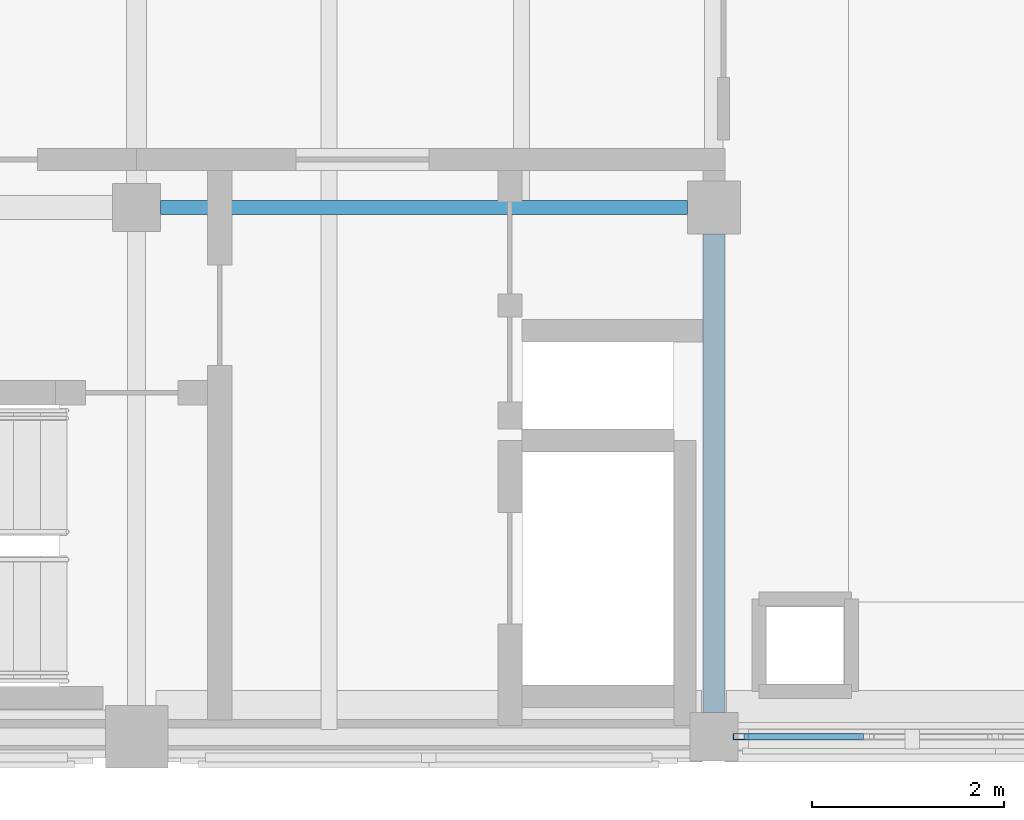
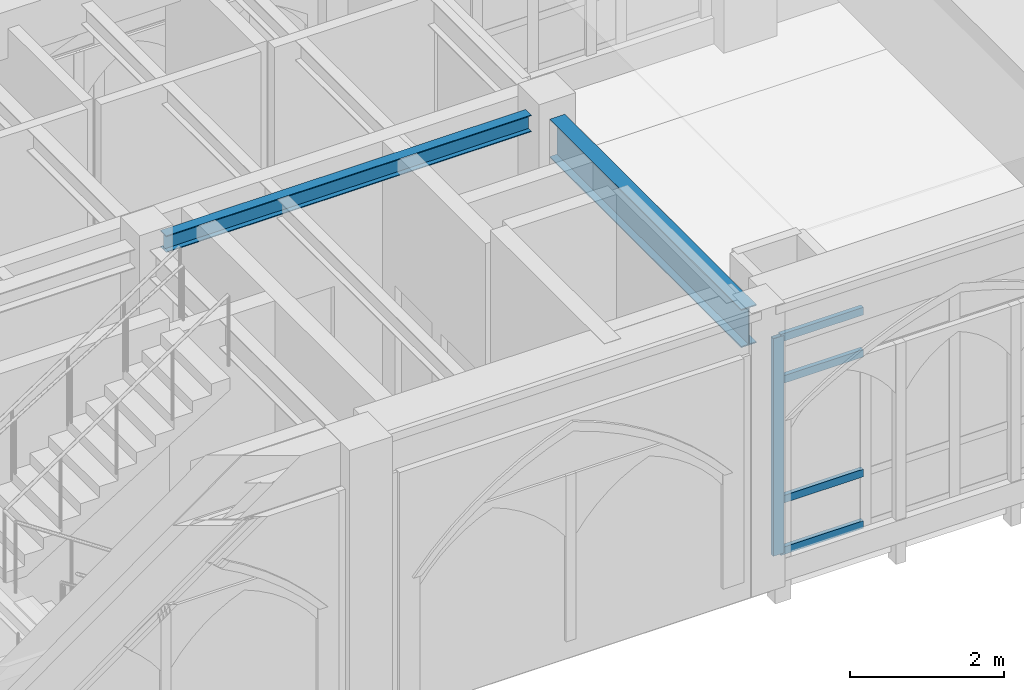
# One storey, part 5 of 127: 5 members, 2 beams, 1 element without a shape of its own.
"""IFC4 building model written with IfcOpenShell, lengths in metres."""

from ifc_helpers import new_model, si_unit, direction, frame, origin, origin_2d, place, context, subcontext, project, spatial, hollow_rectangle, i_section, extrude, material, layer, layer_set, material_profile, profile_set, type_object, element, aggregate, save


model = new_model("IFC4")

# Units and contexts
model_context = context("Model", 3, precision=1e-05, world=origin(), true_north=direction((0.0, 1.0)))
body_context = subcontext(model_context, "Body", "Model", "MODEL_VIEW")
ifc_project = project(units=[si_unit("LENGTHUNIT", "METRE"), si_unit("AREAUNIT", "SQUARE_METRE"), si_unit("VOLUMEUNIT", "CUBIC_METRE"), si_unit("PLANEANGLEUNIT", "RADIAN"), si_unit("MASSUNIT", "GRAM", prefix="KILO")], contexts=[model_context])

# Site, building, storey
site_placement = place(None, origin())
site = spatial("IfcSite", under=ifc_project, at=site_placement, CompositionType="ELEMENT")
building_placement = place(site_placement, origin())
building = spatial("IfcBuilding", under=site, at=building_placement, Name="Cumevento Cable Car Station", CompositionType="ELEMENT")
storey_placement = place(building_placement, frame((0.0, 0.0, 4.5)))
storey = spatial("IfcBuildingStorey", under=building, at=storey_placement, Name="L02", CompositionType="ELEMENT", Elevation=4.5)

# Curtain wall, members
ifc_material_1 = material(Name="Anodised Bronze Aluminium AW-6063-T6", Category="aluminium")
ifc_layer = layer(ifc_material_1, 0.18408203125)
ifc_layer_set = layer_set([ifc_layer], Name="Anodised Bronze Aluminium AW-6063-T6")
curtain_wall_type = type_object("IfcCurtainWallType", Name="Lancet Curtain Wall CW-05 1210", PredefinedType="NOTDEFINED", material=ifc_layer_set)
curtain_wall_placement = place(storey_placement, origin())
curtain_wall = element("IfcCurtainWall", 1, at=curtain_wall_placement, inside=storey, type_object=curtain_wall_type, Name="Lancet Curtain Wall CW-05 L02 #20", PredefinedType="NOTDEFINED")
ifc_material_2 = material(Name="Anodised Bronze Aluminium AW-6063-T6", Category="aluminium")
ifc_material_profile_1 = material_profile(ifc_material_2, hollow_rectangle(XDim=0.06494140625, YDim=0.159912109375, WallThickness=0.00390625, at=origin_2d()), Name="ALUM65x160x4")
ifc_profile_set_1 = profile_set([ifc_material_profile_1], Name="Anodised Bronze Aluminium AW-6063-T6")
member_type_1 = type_object("IfcMemberType", Name="Curtain Mullion CWM-01 ALUM65x160x4", PredefinedType="MULLION", material=ifc_profile_set_1)
member_1_placement = place(storey_placement, frame((34.282470703125, 4.0, 0.360107421875), z_axis=(0.0, 0.0, 1.0), x_axis=(0.0, -1.0, 0.0)))
member_1 = element("IfcMember", 2, at=member_1_placement, type_object=member_type_1, Name="CW-05 mullion 5", PredefinedType="MULLION", context=body_context, shape_type="SweptSolid", body=[
    extrude(hollow_rectangle(XDim=0.06494140625, YDim=0.159912109375, WallThickness=0.00390625, at=origin_2d()), origin(), (0.0, 0.0, 1.0), 3.448974609375),
])
ifc_material_3 = material(Name="Anodised Bronze Aluminium AW-6063-T6", Category="aluminium")
ifc_material_profile_2 = material_profile(ifc_material_3, hollow_rectangle(XDim=0.06494140625, YDim=0.1201171875, WallThickness=0.00390625, at=origin_2d()), Name="ALUT65x120x4")
ifc_profile_set_2 = profile_set([ifc_material_profile_2], Name="Anodised Bronze Aluminium AW-6063-T6")
member_type_2 = type_object("IfcMemberType", Name="Curtain Transom CWT-01 ALUT65x120x4", PredefinedType="USERDEFINED", material=ifc_profile_set_2)
member_2_placement = place(storey_placement, frame((35.554931640625, 4.0, 0.392578125), z_axis=(-1.0, 0.0, 0.0), x_axis=(0.0, -1.0, 0.0)))
member_2 = element("IfcMember", 3, at=member_2_placement, type_object=member_type_2, Name="CW-05 transom 4.1", ObjectType="TRANSOM", PredefinedType="USERDEFINED", context=body_context, shape_type="SweptSolid", body=[
    extrude(hollow_rectangle(XDim=0.06494140625, YDim=0.1201171875, WallThickness=0.00390625, at=origin_2d()), origin(), (0.0, 0.0, 1.0), 1.239990234375),
])
member_3_placement = place(storey_placement, frame((35.554931640625, 4.0, 1.2099609375), z_axis=(-1.0, 0.0, 0.0), x_axis=(0.0, -1.0, 0.0)))
member_3 = element("IfcMember", 4, at=member_3_placement, type_object=member_type_2, Name="CW-05 transom 4.2", ObjectType="TRANSOM", PredefinedType="USERDEFINED", context=body_context, shape_type="SweptSolid", body=[
    extrude(hollow_rectangle(XDim=0.06494140625, YDim=0.1201171875, WallThickness=0.00390625, at=origin_2d()), origin(), (0.0, 0.0, 1.0), 1.239990234375),
])
member_4_placement = place(storey_placement, frame((35.554931640625, 4.0, 3.10888671875), z_axis=(-1.0, 0.0, 0.0), x_axis=(0.0, -1.0, 0.0)))
member_4 = element("IfcMember", 5, at=member_4_placement, type_object=member_type_2, Name="CW-05 transom 4.3", ObjectType="TRANSOM", PredefinedType="USERDEFINED", context=body_context, shape_type="SweptSolid", body=[
    extrude(hollow_rectangle(XDim=0.06494140625, YDim=0.1201171875, WallThickness=0.00390625, at=origin_2d()), origin(), (0.0, 0.0, 1.0), 1.239990234375),
])
member_5_placement = place(storey_placement, frame((35.554931640625, 4.0, 3.776611328125), z_axis=(-1.0, 0.0, 0.0), x_axis=(0.0, -1.0, 0.0)))
member_5 = element("IfcMember", 6, at=member_5_placement, type_object=member_type_2, Name="CW-05 transom 4.4", ObjectType="TRANSOM", PredefinedType="USERDEFINED", context=body_context, shape_type="SweptSolid", body=[
    extrude(hollow_rectangle(XDim=0.06494140625, YDim=0.1201171875, WallThickness=0.00390625, at=origin_2d()), origin(), (0.0, 0.0, 1.0), 1.239990234375),
])
aggregate(curtain_wall, [member_1, member_2, member_3, member_4, member_5])

# Beams
ifc_material_4 = material(Name="Steel ASTM A572 Grade 50", Category="steel")
ifc_material_profile_3 = material_profile(ifc_material_4, i_section(OverallWidth=0.22802734375, OverallDepth=0.60791015625, WebThickness=0.01123046875, FlangeThickness=0.017333984375, at=origin_2d()), Name="W610x113.0")
ifc_profile_set_3 = profile_set([ifc_material_profile_3], Name="Steel ASTM A572 Grade 50")
beam_type_1 = type_object("IfcBeamType", Name="Structural Beam BM-02 W610x113.0", PredefinedType="BEAM", material=ifc_profile_set_3)
beam_1_placement = place(storey_placement, frame((34.0, 4.25, 3.912109375), z_axis=(0.0, 1.0, 0.0), x_axis=(-1.0, 0.0, 0.0)))
element("IfcBeam", 7, at=beam_1_placement, inside=storey, type_object=beam_type_1, Name="Beam BM-02 L02 #445", PredefinedType="BEAM", context=body_context, shape_type="SweptSolid", body=[
    extrude(i_section(OverallWidth=0.22802734375, OverallDepth=0.60791015625, WebThickness=0.01123046875, FlangeThickness=0.017333984375, at=origin_2d()), origin(), (0.0, 0.0, 1.0), 4.97509765625),
])
ifc_material_5 = material(Name="Steel ASTM A572 Grade 50", Category="steel")
ifc_material_profile_4 = material_profile(ifc_material_5, i_section(OverallWidth=0.14794921875, OverallDepth=0.26611328125, WebThickness=0.007568359375, FlangeThickness=0.012939453125, at=origin_2d()), Name="W250x44.8")
ifc_profile_set_4 = profile_set([ifc_material_profile_4], Name="Steel ASTM A572 Grade 50")
beam_type_2 = type_object("IfcBeamType", Name="Structural Beam BM-07 W250x44.8", PredefinedType="BEAM", material=ifc_profile_set_4)
beam_2_placement = place(storey_placement, frame((28.25, 9.5, 4.0830078125), z_axis=(1.0, 0.0, 0.0), x_axis=(0.0, 1.0, 0.0)))
element("IfcBeam", 8, at=beam_2_placement, inside=storey, type_object=beam_type_2, Name="Beam BM-07 L02 #436", PredefinedType="BEAM", context=body_context, shape_type="SweptSolid", body=[
    extrude(i_section(OverallWidth=0.14794921875, OverallDepth=0.26611328125, WebThickness=0.007568359375, FlangeThickness=0.012939453125, at=origin_2d()), origin(), (0.0, 0.0, 1.0), 5.47509765625),
])

save(model, "model.ifc")
